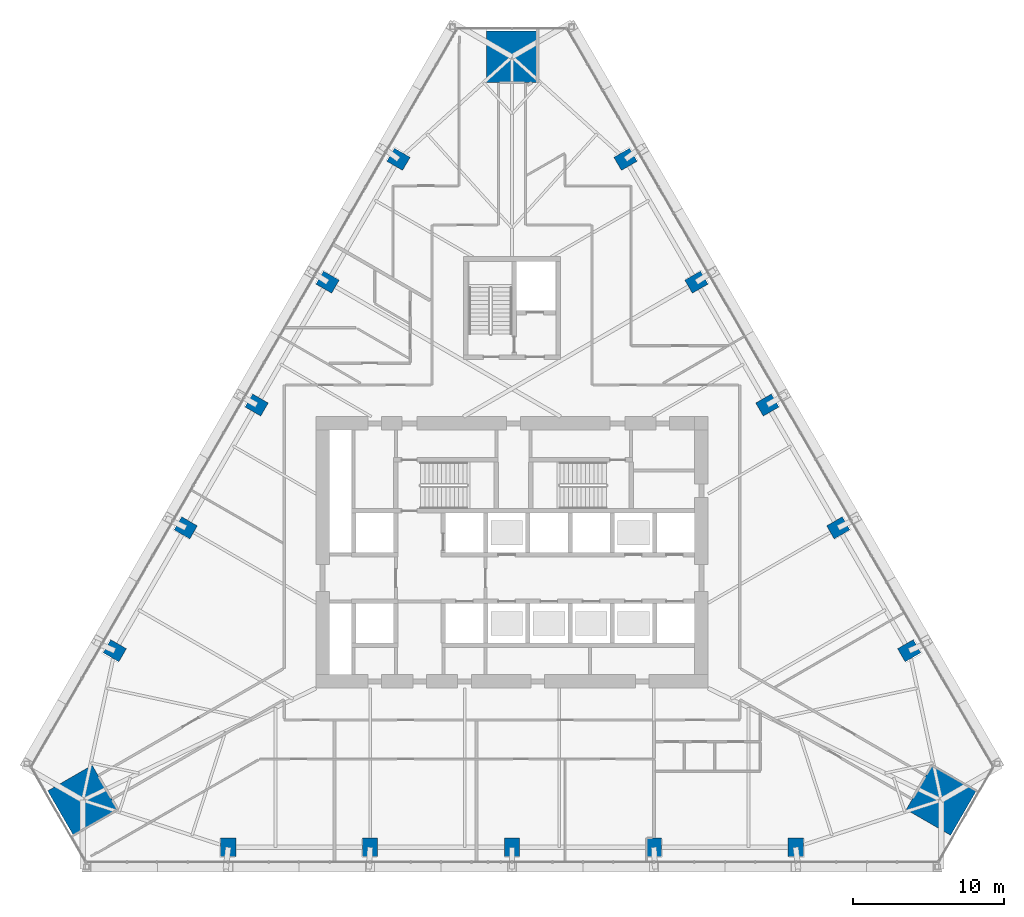
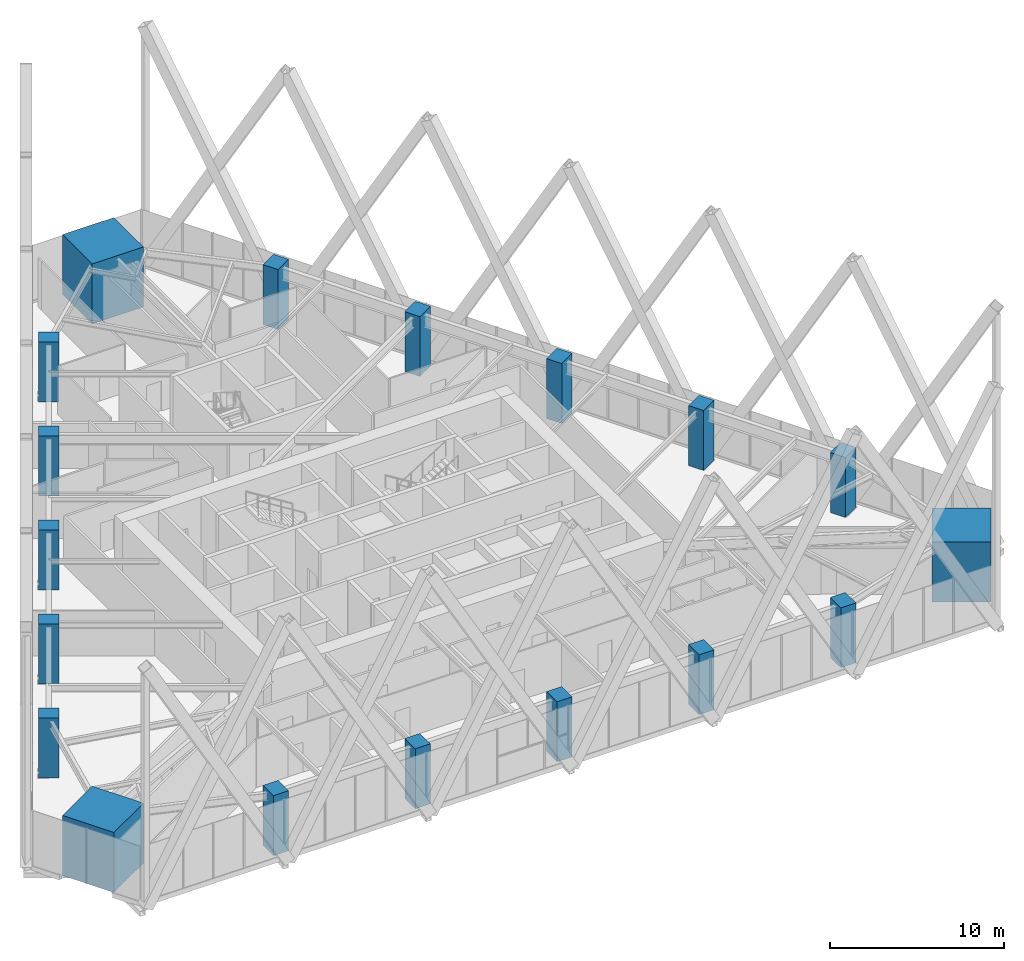
# One storey, part 1 of 21: 18 columns.
"""IFC4 building model written with IfcOpenShell, lengths in metres."""

from ifc_helpers import new_model, si_unit, direction, frame, origin, origin_2d, place, context, subcontext, project, spatial, rectangle, extrude, material, material_profile, profile_set, type_object, element, save


model = new_model("IFC4")

# Units and contexts
model_context = context("Model", 3, precision=1e-05, world=origin(), true_north=direction((0.0, 1.0)))
body_context = subcontext(model_context, "Body", "Model", "MODEL_VIEW")
ifc_project = project(units=[si_unit("LENGTHUNIT", "METRE"), si_unit("AREAUNIT", "SQUARE_METRE"), si_unit("VOLUMEUNIT", "CUBIC_METRE"), si_unit("PLANEANGLEUNIT", "RADIAN"), si_unit("MASSUNIT", "GRAM", prefix="KILO")], contexts=[model_context])

# Site, building, storey
site_placement = place(None, origin())
site = spatial("IfcSite", under=ifc_project, at=site_placement, CompositionType="ELEMENT")
building_placement = place(site_placement, origin())
building = spatial("IfcBuilding", under=site, at=building_placement, Name="Firuza Gate Tower and Library", CompositionType="ELEMENT")
storey_placement = place(building_placement, frame((0.0, 0.0, 90.39990234375)))
storey = spatial("IfcBuildingStorey", under=building, at=storey_placement, Name="L20", CompositionType="ELEMENT", Elevation=90.39990234375)

# Columns
ifc_material_1 = material(Name="Concrete C80/95", Category="concrete")
ifc_material_profile_1 = material_profile(ifc_material_1, rectangle(XDim=3.39990234375, YDim=3.39990234375, at=origin_2d()))
ifc_profile_set_1 = profile_set([ifc_material_profile_1], Name="Concrete C80/95")
column_type_1 = type_object("IfcColumnType", Name="Mega column 3400x3400 C80/95", PredefinedType="COLUMN", material=ifc_profile_set_1)
for number, where, z_axis, x_axis, name in (
    (1, (103.451171875, 58.57373046875, 0.0), (0.0, 0.0, 1.0), (0.5, 0.866025403784, 0.0), "Mega column SE L20"),
    (2, (75.0, 107.852783203125, 0.0), (0.0, 0.0, 1.0), (-1.0, 0.0, 0.0), "Mega column N L20"),
    (3, (46.548828125, 58.57373046875, 0.0), (0.0, 0.0, 1.0), (0.5, -0.866025403784, 0.0), "Mega column SW L20"),
):
    element("IfcColumn", number, at=place(storey_placement, frame(where, z_axis=z_axis, x_axis=x_axis)), inside=storey, type_object=column_type_1, Name=name, PredefinedType="COLUMN", context=body_context, shape_type="SweptSolid", body=[
        extrude(rectangle(XDim=3.39990234375, YDim=3.39990234375, at=origin_2d()), origin(), (0.0, 0.0, 1.0), 4.2001953125),
    ])
ifc_material_2 = material(Name="Concrete C60/75", Category="concrete")
ifc_material_profile_2 = material_profile(ifc_material_2, rectangle(XDim=1.0, YDim=1.199951171875, at=origin_2d()))
ifc_profile_set_2 = profile_set([ifc_material_profile_2], Name="Concrete C60/75")
column_type_2 = type_object("IfcColumnType", Name="Perimeter column 1000x1200 C60/75", PredefinedType="COLUMN", material=ifc_profile_set_2)
for number, where, z_axis, x_axis, name in (
    (4, (56.193359375, 55.4560546875, -0.000244140625), (0.0, 0.0, 1.0), (1.0, 0.0, 0.0), "Column S1 L20"),
    (5, (65.5966796875, 55.4560546875, -0.000244140625), (0.0, 0.0, 1.0), (1.0, 0.0, 0.0), "Column S2 L20"),
    (6, (75.0, 55.4560546875, -0.000244140625), (0.0, 0.0, 1.0), (1.0, 0.0, 0.0), "Column S3 L20"),
    (7, (84.4033203125, 55.4560546875, -0.000244140625), (0.0, 0.0, 1.0), (1.0, 0.0, 0.0), "Column S4 L20"),
    (8, (93.806640625, 55.4560546875, -0.000244140625), (0.0, 0.0, 1.0), (1.0, 0.0, 0.0), "Column S5 L20"),
    (9, (101.3291015625, 68.48486328125, -0.000244140625), (0.0, 0.0, 1.0), (-0.5, 0.866025403784, 0.0), "Column E1 L20"),
    (10, (96.627197265625, 76.62841796875, -0.000244140625), (0.0, 0.0, 1.0), (-0.5, 0.866025403784, 0.0), "Column E2 L20"),
    (11, (91.925537109375, 84.77197265625, -0.000244140625), (0.0, 0.0, 1.0), (-0.5, 0.866025403784, 0.0), "Column E3 L20"),
    (12, (87.223876953125, 92.91552734375, -0.000244140625), (0.0, 0.0, 1.0), (-0.5, 0.866025403784, 0.0), "Column E4 L20"),
    (13, (82.522216796875, 101.05908203125, -0.000244140625), (0.0, 0.0, 1.0), (-0.5, 0.866025403784, 0.0), "Column E5 L20"),
    (14, (67.477783203125, 101.05908203125, -0.000244140625), (0.0, 0.0, 1.0), (-0.5, -0.866025403784, 0.0), "Column W1 L20"),
    (15, (62.776123046875, 92.91552734375, -0.000244140625), (0.0, 0.0, 1.0), (-0.5, -0.866025403784, 0.0), "Column W2 L20"),
    (16, (58.074462890625, 84.77197265625, -0.000244140625), (0.0, 0.0, 1.0), (-0.5, -0.866025403784, 0.0), "Column W3 L20"),
    (17, (53.372802734375, 76.62841796875, -0.000244140625), (0.0, 0.0, 1.0), (-0.5, -0.866025403784, 0.0), "Column W4 L20"),
    (18, (48.6708984375, 68.48486328125, -0.000244140625), (0.0, 0.0, 1.0), (-0.5, -0.866025403784, 0.0), "Column W5 L20"),
):
    element("IfcColumn", number, at=place(storey_placement, frame(where, z_axis=z_axis, x_axis=x_axis)), inside=storey, type_object=column_type_2, Name=name, PredefinedType="COLUMN", context=body_context, shape_type="SweptSolid", body=[
        extrude(rectangle(XDim=1.0, YDim=1.199951171875, at=origin_2d()), origin(), (0.0, 0.0, 1.0), 4.200439453125),
    ])

save(model, "model.ifc")
